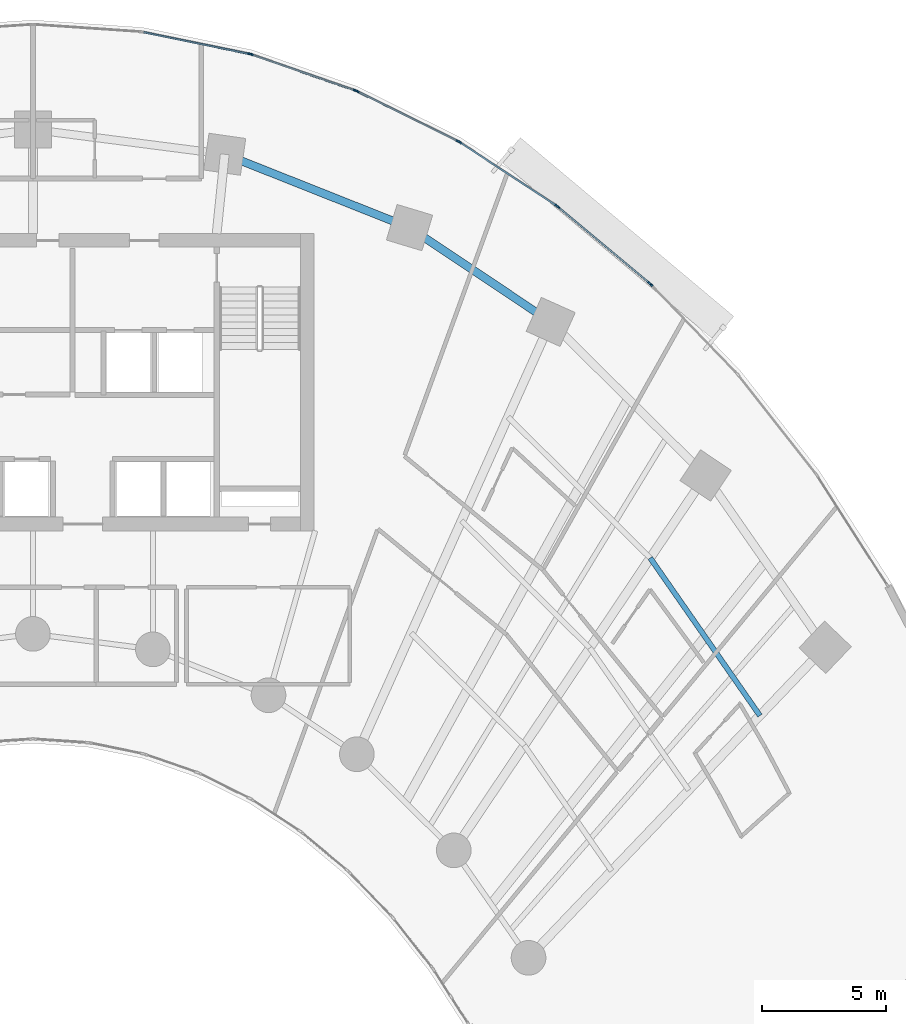
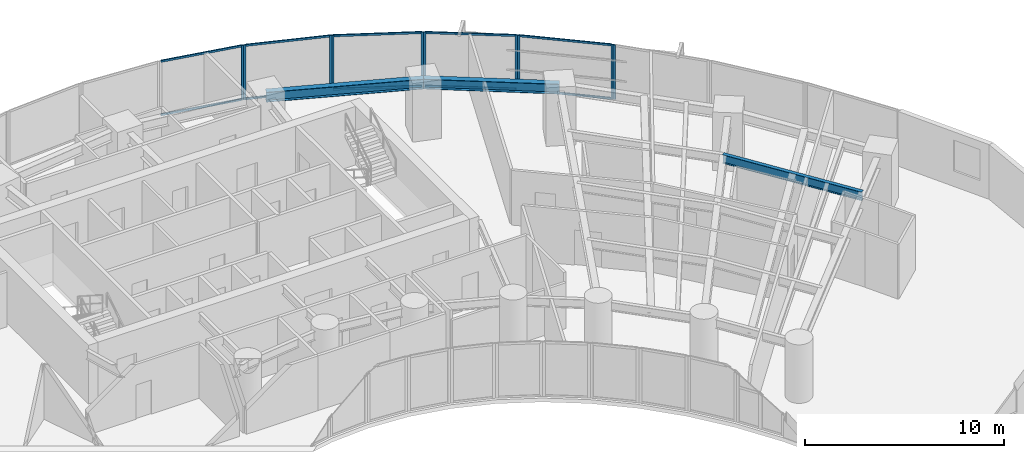
# One storey, part 7 of 17: 20 members, 3 beams, 6 elements without a shape of their own.
"""IFC4 building model written with IfcOpenShell, lengths in metres."""

from ifc_helpers import new_model, si_unit, direction, frame, origin, origin_2d, place, context, subcontext, project, spatial, rectangle, i_section, extrude, source, transform, mapped, material, layer, layer_set, material_profile, profile_set, type_object, type_shapes, element, aggregate, save


model = new_model("IFC4")

# Units and contexts
model_context = context("Model", 3, precision=1e-05, world=origin(), true_north=direction((0.0, 1.0)))
body_context = subcontext(model_context, "Body", "Model", "MODEL_VIEW")
ifc_project = project(units=[si_unit("LENGTHUNIT", "METRE"), si_unit("AREAUNIT", "SQUARE_METRE"), si_unit("VOLUMEUNIT", "CUBIC_METRE"), si_unit("PLANEANGLEUNIT", "RADIAN"), si_unit("MASSUNIT", "GRAM", prefix="KILO")], contexts=[model_context])

# Site, building, storey
site_placement = place(None, origin())
site = spatial("IfcSite", under=ifc_project, at=site_placement, CompositionType="ELEMENT")
building_placement = place(site_placement, origin())
building = spatial("IfcBuilding", under=site, at=building_placement, Name="Breltana Convention Tower", CompositionType="ELEMENT")
storey_placement = place(building_placement, frame((0.0, 0.0, 46.199951171875)))
storey = spatial("IfcBuildingStorey", under=building, at=storey_placement, Name="L09", CompositionType="ELEMENT", Elevation=46.199951171875)

# Beams
ifc_material_1 = material(Name="Steel ASTM A992 Grade 50", Category="steel")
ifc_material_profile_1 = material_profile(ifc_material_1, i_section(OverallWidth=0.323974609375, OverallDepth=0.611083984375, WebThickness=0.0126953125, FlangeThickness=0.01904296875, at=origin_2d()), Name="W24X104")
ifc_profile_set_1 = profile_set([ifc_material_profile_1], Name="Steel ASTM A992 Grade 50")
beam_type_1 = type_object("IfcBeamType", Name="BM-SP-W24X104", PredefinedType="SPANDREL", material=ifc_profile_set_1)
shared_shape_1 = source(origin(), body_context, "Body", "SweptSolid", [
    extrude(i_section(OverallWidth=0.323974609375, OverallDepth=0.611083984375, WebThickness=0.0126953125, FlangeThickness=0.01904296875, at=origin_2d()), origin(), (0.0, 0.0, 1.0), 8.028564453125),
])
beam_1_placement = place(storey_placement, frame((55.746826171875, 75.404296875, 3.054443359375), z_axis=(0.929459100394, -0.368925169507, 0.0), x_axis=(0.368925169507, 0.929459100394, 0.0)))
element("IfcBeam", 1, at=beam_1_placement, inside=storey, type_object=beam_type_1, Name="L09 Outer Spandrel Beam 07", PredefinedType="SPANDREL", context=body_context, shape_type="MappedRepresentation", body=[
    mapped(shared_shape_1, transform((0.0, 0.0, 0.0), scale=1.0)),
])
shared_shape_2 = source(origin(), body_context, "Body", "SweptSolid", [
    extrude(i_section(OverallWidth=0.323974609375, OverallDepth=0.611083984375, WebThickness=0.0126953125, FlangeThickness=0.01904296875, at=origin_2d()), origin(), (0.0, 0.0, 1.0), 6.856689453125),
])
beam_2_placement = place(storey_placement, frame((63.208984375, 72.4423828125, 3.054443359375), z_axis=(0.83150210718, -0.55552159792, 0.0), x_axis=(0.55552159792, 0.83150210718, 0.0)))
element("IfcBeam", 2, at=beam_2_placement, inside=storey, type_object=beam_type_1, Name="L09 Outer Spandrel Beam 08", PredefinedType="SPANDREL", context=body_context, shape_type="MappedRepresentation", body=[
    mapped(shared_shape_2, transform((0.0, 0.0, 0.0), scale=1.0)),
])
ifc_material_profile_2 = material_profile(ifc_material_1, i_section(OverallWidth=0.2099609375, OverallDepth=0.537109375, WebThickness=0.010986328125, FlangeThickness=0.017333984375, at=origin_2d()), Name="W21X68")
ifc_profile_set_2 = profile_set([ifc_material_profile_2], Name="Steel ASTM A992 Grade 50")
beam_type_2 = type_object("IfcBeamType", Name="BM-JSG-04", PredefinedType="JOIST", material=ifc_profile_set_2)
shared_shape_3 = source(origin(), body_context, "Body", "SweptSolid", [
    extrude(i_section(OverallWidth=0.2099609375, OverallDepth=0.537109375, WebThickness=0.010986328125, FlangeThickness=0.017333984375, at=origin_2d()), origin(), (0.0, 0.0, 1.0), 7.75390625),
])
beam_3_placement = place(storey_placement, frame((72.92919921875, 59.10009765625, 3.091552734375), z_axis=(0.57119271264, -0.820815987312, 0.0), x_axis=(0.820815987312, 0.57119271264, 0.0)))
element("IfcBeam", 3, at=beam_3_placement, inside=storey, type_object=beam_type_2, Name="L09 Composite Floor Joist 10.3", PredefinedType="JOIST", context=body_context, shape_type="MappedRepresentation", body=[
    mapped(shared_shape_3, transform((0.0, 0.0, 0.0), scale=1.0)),
])

# Curtain wall, member
ifc_material_2 = material(Name="Aluminium Anodised Bronze Frame", Category="aluminium")
ifc_layer = layer(ifc_material_2, 0.199951171875, Name="Aluminium Anodised Bronze Frame")
ifc_layer_set = layer_set([ifc_layer], Name="Aluminium Anodised Bronze Frame")
curtain_wall_type = type_object("IfcCurtainWallType", Name="CW-SYS-2", PredefinedType="NOTDEFINED", material=ifc_layer_set)
curtain_wall_1_placement = place(storey_placement, origin())
curtain_wall_1 = element("IfcCurtainWall", 4, at=curtain_wall_1_placement, inside=storey, type_object=curtain_wall_type, Name="L09 outer double-skin inner glazing 11", PredefinedType="NOTDEFINED")
ifc_material_3 = material(Name="Aluminium Anodised Bronze", Category="aluminium")
ifc_material_profile_3 = material_profile(ifc_material_3, rectangle(XDim=0.070068359375, YDim=0.175048828125, at=origin_2d()), Name="CWM-70X175")
ifc_profile_set_3 = profile_set([ifc_material_profile_3], Name="Aluminium Anodised Bronze")
member_type_1 = type_object("IfcMemberType", Name="CWM-175", PredefinedType="MULLION", material=ifc_profile_set_3)
shared_shape_4 = source(origin(), body_context, "Body", "SweptSolid", [
    extrude(rectangle(XDim=0.070068359375, YDim=0.175048828125, at=origin_2d()), origin(), (0.0, 0.0, 1.0), 3.360107421875),
])
type_shapes(member_type_1, [shared_shape_4])
member_1_placement = place(storey_placement, frame((56.7451171875, 79.45751953125, 0.0), z_axis=(0.0, 0.0, 1.0), x_axis=(0.200884537139, 0.979614925743, 0.0)))
member_1 = element("IfcMember", 5, at=member_1_placement, type_object=member_type_1, Name="CW-02 mullion 2", PredefinedType="MULLION", context=body_context, shape_type="MappedRepresentation", body=[
    mapped(shared_shape_4, transform((0.0, 0.0, 0.0), scale=1.0)),
])

# Curtain wall, members
curtain_wall_2_placement = place(storey_placement, origin())
curtain_wall_2 = element("IfcCurtainWall", 6, at=curtain_wall_2_placement, inside=storey, type_object=curtain_wall_type, Name="L09 outer double-skin inner glazing 12", PredefinedType="NOTDEFINED")
member_2_placement = place(storey_placement, frame((56.8125, 79.43896484375, 0.0), z_axis=(0.0, 0.0, 1.0), x_axis=(0.32742834581, 0.944876012163, 0.0)))
member_2 = element("IfcMember", 7, at=member_2_placement, type_object=member_type_1, Name="CW-02 mullion 1", PredefinedType="MULLION", context=body_context, shape_type="MappedRepresentation", body=[
    mapped(shared_shape_4, transform((0.0, 0.0, 0.0), scale=1.0)),
])
member_3_placement = place(storey_placement, frame((61.025146484375, 77.979248046875, 0.0), z_axis=(0.0, 0.0, 1.0), x_axis=(0.32742834581, 0.944876012163, 0.0)))
member_3 = element("IfcMember", 8, at=member_3_placement, type_object=member_type_1, Name="CW-02 mullion 2", PredefinedType="MULLION", context=body_context, shape_type="MappedRepresentation", body=[
    mapped(shared_shape_4, transform((0.0, 0.0, 0.0), scale=1.0)),
])

curtain_wall_3_placement = place(storey_placement, origin())
curtain_wall_3 = element("IfcCurtainWall", 9, at=curtain_wall_3_placement, inside=storey, type_object=curtain_wall_type, Name="L09 outer double-skin inner glazing 13", PredefinedType="NOTDEFINED")
member_4_placement = place(storey_placement, frame((61.089599609375, 77.9521484375, 0.0), z_axis=(0.0, 0.0, 1.0), x_axis=(0.444107703726, 0.895973407804, 0.0)))
member_4 = element("IfcMember", 10, at=member_4_placement, type_object=member_type_1, Name="CW-02 mullion 1", PredefinedType="MULLION", context=body_context, shape_type="MappedRepresentation", body=[
    mapped(shared_shape_4, transform((0.0, 0.0, 0.0), scale=1.0)),
])
member_5_placement = place(storey_placement, frame((65.1728515625, 75.92822265625, 0.0), z_axis=(0.0, 0.0, 1.0), x_axis=(0.444107703726, 0.895973407804, 0.0)))
member_5 = element("IfcMember", 11, at=member_5_placement, type_object=member_type_1, Name="CW-02 mullion 2", PredefinedType="MULLION", context=body_context, shape_type="MappedRepresentation", body=[
    mapped(shared_shape_4, transform((0.0, 0.0, 0.0), scale=1.0)),
])

curtain_wall_4_placement = place(storey_placement, origin())
curtain_wall_4 = element("IfcCurtainWall", 12, at=curtain_wall_4_placement, inside=storey, type_object=curtain_wall_type, Name="L09 outer double-skin inner glazing 14", PredefinedType="NOTDEFINED")
member_6_placement = place(storey_placement, frame((65.233642578125, 75.8935546875, 0.0), z_axis=(0.0, 0.0, 1.0), x_axis=(0.548784255746, 0.83596401875, 0.0)))
member_6 = element("IfcMember", 13, at=member_6_placement, type_object=member_type_1, Name="CW-02 mullion 1", PredefinedType="MULLION", context=body_context, shape_type="MappedRepresentation", body=[
    mapped(shared_shape_4, transform((0.0, 0.0, 0.0), scale=1.0)),
])
member_7_placement = place(storey_placement, frame((69.146484375, 73.32470703125, 0.0), z_axis=(0.0, 0.0, 1.0), x_axis=(0.548784255746, 0.83596401875, 0.0)))
member_7 = element("IfcMember", 14, at=member_7_placement, type_object=member_type_1, Name="CW-02 mullion 2", PredefinedType="MULLION", context=body_context, shape_type="MappedRepresentation", body=[
    mapped(shared_shape_4, transform((0.0, 0.0, 0.0), scale=1.0)),
])

curtain_wall_5_placement = place(storey_placement, origin())
curtain_wall_5 = element("IfcCurtainWall", 15, at=curtain_wall_5_placement, inside=storey, type_object=curtain_wall_type, Name="L09 outer double-skin inner glazing 15", PredefinedType="NOTDEFINED")
member_8_placement = place(storey_placement, frame((69.20263671875, 73.283203125, 0.0), z_axis=(0.0, 0.0, 1.0), x_axis=(0.640520193554, 0.767941326958, 0.0)))
member_8 = element("IfcMember", 16, at=member_8_placement, type_object=member_type_1, Name="CW-02 mullion 1", PredefinedType="MULLION", context=body_context, shape_type="MappedRepresentation", body=[
    mapped(shared_shape_4, transform((0.0, 0.0, 0.0), scale=1.0)),
])
member_9_placement = place(storey_placement, frame((72.90478515625, 70.1953125, 0.0), z_axis=(0.0, 0.0, 1.0), x_axis=(0.640520193554, 0.767941326958, 0.0)))
member_9 = element("IfcMember", 17, at=member_9_placement, type_object=member_type_1, Name="CW-02 mullion 2", PredefinedType="MULLION", context=body_context, shape_type="MappedRepresentation", body=[
    mapped(shared_shape_4, transform((0.0, 0.0, 0.0), scale=1.0)),
])

# Curtain wall, member
curtain_wall_6_placement = place(storey_placement, origin())
curtain_wall_6 = element("IfcCurtainWall", 18, at=curtain_wall_6_placement, inside=storey, type_object=curtain_wall_type, Name="L09 outer double-skin inner glazing 16", PredefinedType="NOTDEFINED")
member_10_placement = place(storey_placement, frame((72.955810546875, 70.147705078125, 0.0), z_axis=(0.0, 0.0, 1.0), x_axis=(0.719386421003, 0.694610090106, 0.0)))
member_10 = element("IfcMember", 19, at=member_10_placement, type_object=member_type_1, Name="CW-02 mullion 1", PredefinedType="MULLION", context=body_context, shape_type="MappedRepresentation", body=[
    mapped(shared_shape_4, transform((0.0, 0.0, 0.0), scale=1.0)),
])
aggregate(curtain_wall_6, [member_10])

# Member
ifc_material_profile_4 = material_profile(ifc_material_3, rectangle(XDim=0.070068359375, YDim=0.1201171875, at=origin_2d()), Name="CWT-70X120")
ifc_profile_set_4 = profile_set([ifc_material_profile_4], Name="Aluminium Anodised Bronze")
member_type_2 = type_object("IfcMemberType", Name="CWT-120", PredefinedType="USERDEFINED", material=ifc_profile_set_4)
shared_shape_5 = source(origin(), body_context, "Body", "SweptSolid", [
    extrude(rectangle(XDim=0.070068359375, YDim=0.1201171875, at=origin_2d()), origin(), (0.0, 0.0, 1.0), 4.7509765625),
])
member_11_placement = place(storey_placement, frame((69.2294921875, 73.2607421875, 0.03515625), z_axis=(0.767951631807, -0.64050783852, 0.0), x_axis=(0.64050783852, 0.767951631807, 0.0)))
member_11 = element("IfcMember", 20, at=member_11_placement, type_object=member_type_2, Name="CW-02 transom 1.1", ObjectType="TRANSOM", PredefinedType="USERDEFINED", context=body_context, shape_type="MappedRepresentation", body=[
    mapped(shared_shape_5, transform((0.0, 0.0, 0.0), scale=1.0)),
])

member_12_placement = place(storey_placement, frame((69.2294921875, 73.2607421875, 3.324951171875), z_axis=(0.767951631807, -0.64050783852, 0.0), x_axis=(0.64050783852, 0.767951631807, 0.0)))
member_12 = element("IfcMember", 21, at=member_12_placement, type_object=member_type_2, Name="CW-02 transom 1.2", ObjectType="TRANSOM", PredefinedType="USERDEFINED", context=body_context, shape_type="MappedRepresentation", body=[
    mapped(shared_shape_5, transform((0.0, 0.0, 0.0), scale=1.0)),
])

aggregate(curtain_wall_5, [member_8, member_9, member_11, member_12])

shared_shape_6 = source(origin(), body_context, "Body", "SweptSolid", [
    extrude(rectangle(XDim=0.070068359375, YDim=0.1201171875, at=origin_2d()), origin(), (0.0, 0.0, 1.0), 4.610595703125),
])
member_13_placement = place(storey_placement, frame((65.262939453125, 75.874267578125, 0.03515625), z_axis=(0.835956055104, -0.54879638659, 0.0), x_axis=(0.54879638659, 0.835956055104, 0.0)))
member_13 = element("IfcMember", 22, at=member_13_placement, type_object=member_type_2, Name="CW-02 transom 1.1", ObjectType="TRANSOM", PredefinedType="USERDEFINED", context=body_context, shape_type="MappedRepresentation", body=[
    mapped(shared_shape_6, transform((0.0, 0.0, 0.0), scale=1.0)),
])

member_14_placement = place(storey_placement, frame((65.262939453125, 75.874267578125, 3.324951171875), z_axis=(0.835956055104, -0.54879638659, 0.0), x_axis=(0.54879638659, 0.835956055104, 0.0)))
member_14 = element("IfcMember", 23, at=member_14_placement, type_object=member_type_2, Name="CW-02 transom 1.2", ObjectType="TRANSOM", PredefinedType="USERDEFINED", context=body_context, shape_type="MappedRepresentation", body=[
    mapped(shared_shape_6, transform((0.0, 0.0, 0.0), scale=1.0)),
])

aggregate(curtain_wall_4, [member_6, member_7, member_13, member_14])

shared_shape_7 = source(origin(), body_context, "Body", "SweptSolid", [
    extrude(rectangle(XDim=0.070068359375, YDim=0.1201171875, at=origin_2d()), origin(), (0.0, 0.0, 1.0), 4.487548828125),
])
member_15_placement = place(storey_placement, frame((61.120849609375, 77.936767578125, 0.03515625), z_axis=(0.895977728863, -0.444098986017, 0.0), x_axis=(0.444098986017, 0.895977728863, 0.0)))
member_15 = element("IfcMember", 24, at=member_15_placement, type_object=member_type_2, Name="CW-02 transom 1.1", ObjectType="TRANSOM", PredefinedType="USERDEFINED", context=body_context, shape_type="MappedRepresentation", body=[
    mapped(shared_shape_7, transform((0.0, 0.0, 0.0), scale=1.0)),
])

member_16_placement = place(storey_placement, frame((61.120849609375, 77.936767578125, 3.324951171875), z_axis=(0.895977728863, -0.444098986017, 0.0), x_axis=(0.444098986017, 0.895977728863, 0.0)))
member_16 = element("IfcMember", 25, at=member_16_placement, type_object=member_type_2, Name="CW-02 transom 1.2", ObjectType="TRANSOM", PredefinedType="USERDEFINED", context=body_context, shape_type="MappedRepresentation", body=[
    mapped(shared_shape_7, transform((0.0, 0.0, 0.0), scale=1.0)),
])

aggregate(curtain_wall_3, [member_4, member_5, member_15, member_16])

shared_shape_8 = source(origin(), body_context, "Body", "SweptSolid", [
    extrude(rectangle(XDim=0.070068359375, YDim=0.1201171875, at=origin_2d()), origin(), (0.0, 0.0, 1.0), 4.38818359375),
])
member_17_placement = place(storey_placement, frame((56.845703125, 79.427490234375, 0.03515625), z_axis=(0.944878203019, -0.32742202348, 0.0), x_axis=(0.32742202348, 0.944878203019, 0.0)))
member_17 = element("IfcMember", 26, at=member_17_placement, type_object=member_type_2, Name="CW-02 transom 1.1", ObjectType="TRANSOM", PredefinedType="USERDEFINED", context=body_context, shape_type="MappedRepresentation", body=[
    mapped(shared_shape_8, transform((0.0, 0.0, 0.0), scale=1.0)),
])

member_18_placement = place(storey_placement, frame((56.845703125, 79.427490234375, 3.324951171875), z_axis=(0.944878203019, -0.32742202348, 0.0), x_axis=(0.32742202348, 0.944878203019, 0.0)))
member_18 = element("IfcMember", 27, at=member_18_placement, type_object=member_type_2, Name="CW-02 transom 1.2", ObjectType="TRANSOM", PredefinedType="USERDEFINED", context=body_context, shape_type="MappedRepresentation", body=[
    mapped(shared_shape_8, transform((0.0, 0.0, 0.0), scale=1.0)),
])

aggregate(curtain_wall_2, [member_2, member_3, member_17, member_18])

shared_shape_9 = source(origin(), body_context, "Body", "SweptSolid", [
    extrude(rectangle(XDim=0.070068359375, YDim=0.1201171875, at=origin_2d()), origin(), (0.0, 0.0, 1.0), 4.318359375),
])
member_19_placement = place(storey_placement, frame((52.480712890625, 80.33203125, 0.03515625), z_axis=(0.979616680923, -0.200875977799, 0.0), x_axis=(0.200875977799, 0.979616680923, 0.0)))
member_19 = element("IfcMember", 28, at=member_19_placement, type_object=member_type_2, Name="CW-02 transom 1.1", ObjectType="TRANSOM", PredefinedType="USERDEFINED", context=body_context, shape_type="MappedRepresentation", body=[
    mapped(shared_shape_9, transform((0.0, 0.0, 0.0), scale=1.0)),
])

member_20_placement = place(storey_placement, frame((52.480712890625, 80.33203125, 3.324951171875), z_axis=(0.979616680923, -0.200875977799, 0.0), x_axis=(0.200875977799, 0.979616680923, 0.0)))
member_20 = element("IfcMember", 29, at=member_20_placement, type_object=member_type_2, Name="CW-02 transom 1.2", ObjectType="TRANSOM", PredefinedType="USERDEFINED", context=body_context, shape_type="MappedRepresentation", body=[
    mapped(shared_shape_9, transform((0.0, 0.0, 0.0), scale=1.0)),
])

aggregate(curtain_wall_1, [member_1, member_19, member_20])

save(model, "model.ifc")
